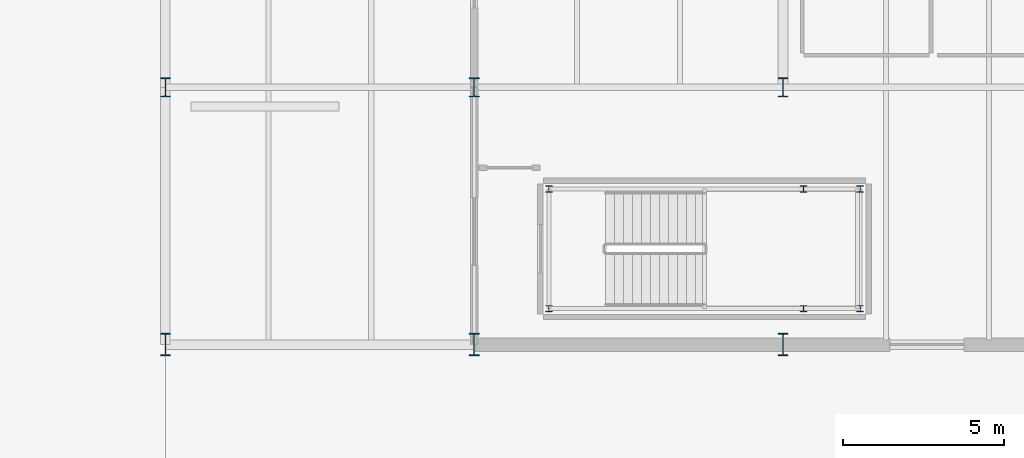
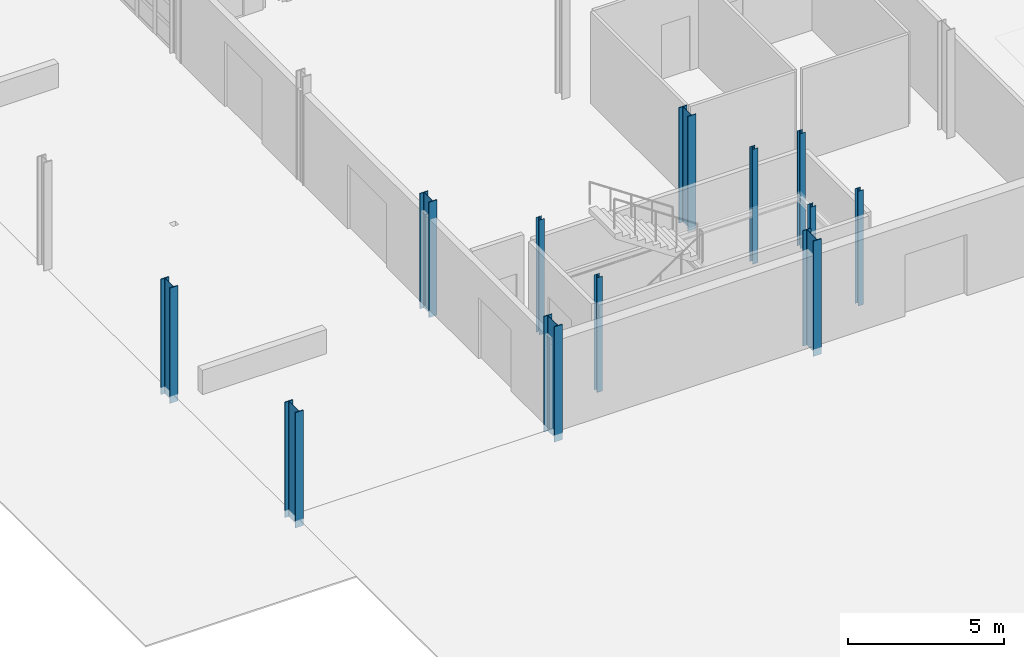
# One storey, part 2 of 78: 12 columns.
"""IFC4 building model written with IfcOpenShell, lengths in metres."""

from ifc_helpers import new_model, si_unit, direction, frame, origin, origin_2d, place, context, subcontext, project, spatial, i_section, extrude, material, material_profile, profile_set, type_object, element, save


model = new_model("IFC4")

# Units and contexts
model_context = context("Model", 3, precision=1e-05, world=origin(), true_north=direction((0.0, 1.0)))
body_context = subcontext(model_context, "Body", "Model", "MODEL_VIEW")
ifc_project = project(units=[si_unit("LENGTHUNIT", "METRE"), si_unit("AREAUNIT", "SQUARE_METRE"), si_unit("VOLUMEUNIT", "CUBIC_METRE"), si_unit("PLANEANGLEUNIT", "RADIAN"), si_unit("MASSUNIT", "GRAM", prefix="KILO")], contexts=[model_context])

# Site, building, storey
site_placement = place(None, origin())
site = spatial("IfcSite", under=ifc_project, at=site_placement, CompositionType="ELEMENT")
building_placement = place(site_placement, origin())
building = spatial("IfcBuilding", under=site, at=building_placement, Name="Alderhovde Museum", CompositionType="ELEMENT")
storey_placement = place(building_placement, origin())
storey = spatial("IfcBuildingStorey", under=building, at=storey_placement, Name="L00", CompositionType="ELEMENT", Elevation=0.0)

# Columns
ifc_material_1 = material(Name="Steel S355J2", Category="steel")
ifc_material_profile_1 = material_profile(ifc_material_1, i_section(OverallWidth=0.199951171875, OverallDepth=0.18994140625, WebThickness=0.006591796875, FlangeThickness=0.010009765625, FilletRadius=0.01806640625, at=origin_2d()), Name="HEA 200")
ifc_profile_set_1 = profile_set([ifc_material_profile_1], Name="Steel S355J2")
column_type_1 = type_object("IfcColumnType", Name="COL-HEA200", PredefinedType="COLUMN", material=ifc_profile_set_1)
for number, where, z_axis, x_axis, name in (
    (1, (21.52001953125, 49.1201171875, 0.0), (0.0, 0.0, 1.0), (1.0, 0.0, 0.0), "L00 Stair ST1 Shaft Column 1"),
    (2, (31.199951171875, 49.1201171875, 0.0), (0.0, 0.0, 1.0), (1.0, 0.0, 0.0), "L00 Stair ST1 Shaft Column 2"),
    (3, (31.199951171875, 52.840087890625, 0.0), (0.0, 0.0, 1.0), (1.0, 0.0, 0.0), "L00 Stair ST1 Shaft Column 3"),
    (4, (21.52001953125, 52.840087890625, 0.0), (0.0, 0.0, 1.0), (1.0, 0.0, 0.0), "L00 Stair ST1 Shaft Column 4"),
    (5, (29.43994140625, 49.1201171875, 0.0), (0.0, 0.0, 1.0), (1.0, 0.0, 0.0), "L00 Stair ST1 Shaft Column 5"),
    (6, (29.43994140625, 52.840087890625, 0.0), (0.0, 0.0, 1.0), (1.0, 0.0, 0.0), "L00 Stair ST1 Shaft Column 6"),
):
    element("IfcColumn", number, at=place(storey_placement, frame(where, z_axis=z_axis, x_axis=x_axis)), inside=storey, type_object=column_type_1, Name=name, PredefinedType="COLUMN", context=body_context, shape_type="SweptSolid", body=[
        extrude(i_section(OverallWidth=0.199951171875, OverallDepth=0.18994140625, WebThickness=0.006591796875, FlangeThickness=0.010009765625, FilletRadius=0.01806640625, at=origin_2d()), origin(), (0.0, 0.0, 1.0), 4.5),
    ])
ifc_material_2 = material(Name="Steel S355J2", Category="steel")
ifc_material_profile_2 = material_profile(ifc_material_2, i_section(OverallWidth=0.300048828125, OverallDepth=0.60009765625, WebThickness=0.015380859375, FlangeThickness=0.030029296875, FilletRadius=0.027099609375, at=origin_2d()), Name="HEB 600")
ifc_profile_set_2 = profile_set([ifc_material_profile_2], Name="Steel S355J2")
column_type_2 = type_object("IfcColumnType", Name="COL-HEB600", PredefinedType="COLUMN", material=ifc_profile_set_2)
for number, where, z_axis, x_axis, name in (
    (7, (9.60009765625, 56.0, -0.280029296875), (0.0, 0.0, 1.0), (1.0, 0.0, 0.0), "L00 Column (9.6, 56.0)"),
    (8, (19.199951171875, 56.0, -0.280029296875), (0.0, 0.0, 1.0), (1.0, 0.0, 0.0), "L00 Column (19.2, 56.0)"),
    (9, (28.800048828125, 56.0, -0.280029296875), (0.0, 0.0, 1.0), (1.0, 0.0, 0.0), "L00 Column (28.8, 56.0)"),
):
    element("IfcColumn", number, at=place(storey_placement, frame(where, z_axis=z_axis, x_axis=x_axis)), inside=storey, type_object=column_type_2, Name=name, PredefinedType="COLUMN", context=body_context, shape_type="SweptSolid", body=[
        extrude(i_section(OverallWidth=0.300048828125, OverallDepth=0.60009765625, WebThickness=0.015380859375, FlangeThickness=0.030029296875, FilletRadius=0.027099609375, at=origin_2d()), origin(), (0.0, 0.0, 1.0), 4.52001953125),
    ])
ifc_material_3 = material(Name="Steel S355J2", Category="steel")
ifc_material_profile_3 = material_profile(ifc_material_3, i_section(OverallWidth=0.300048828125, OverallDepth=0.699951171875, WebThickness=0.01708984375, FlangeThickness=0.031982421875, FilletRadius=0.027099609375, at=origin_2d()), Name="HEB 700")
ifc_profile_set_3 = profile_set([ifc_material_profile_3], Name="Steel S355J2")
column_type_3 = type_object("IfcColumnType", Name="COL-HEB700", PredefinedType="COLUMN", material=ifc_profile_set_3)
for number, where, z_axis, x_axis, name in (
    (10, (9.60009765625, 48.0, -0.280029296875), (0.0, 0.0, 1.0), (1.0, 0.0, 0.0), "L00 Column (9.6, 48.0)"),
    (11, (19.199951171875, 48.0, -0.280029296875), (0.0, 0.0, 1.0), (1.0, 0.0, 0.0), "L00 Column (19.2, 48.0)"),
    (12, (28.800048828125, 48.0, -0.280029296875), (0.0, 0.0, 1.0), (1.0, 0.0, 0.0), "L00 Column (28.8, 48.0)"),
):
    element("IfcColumn", number, at=place(storey_placement, frame(where, z_axis=z_axis, x_axis=x_axis)), inside=storey, type_object=column_type_3, Name=name, PredefinedType="COLUMN", context=body_context, shape_type="SweptSolid", body=[
        extrude(i_section(OverallWidth=0.300048828125, OverallDepth=0.699951171875, WebThickness=0.01708984375, FlangeThickness=0.031982421875, FilletRadius=0.027099609375, at=origin_2d()), origin(), (0.0, 0.0, 1.0), 4.52001953125),
    ])

save(model, "model.ifc")
